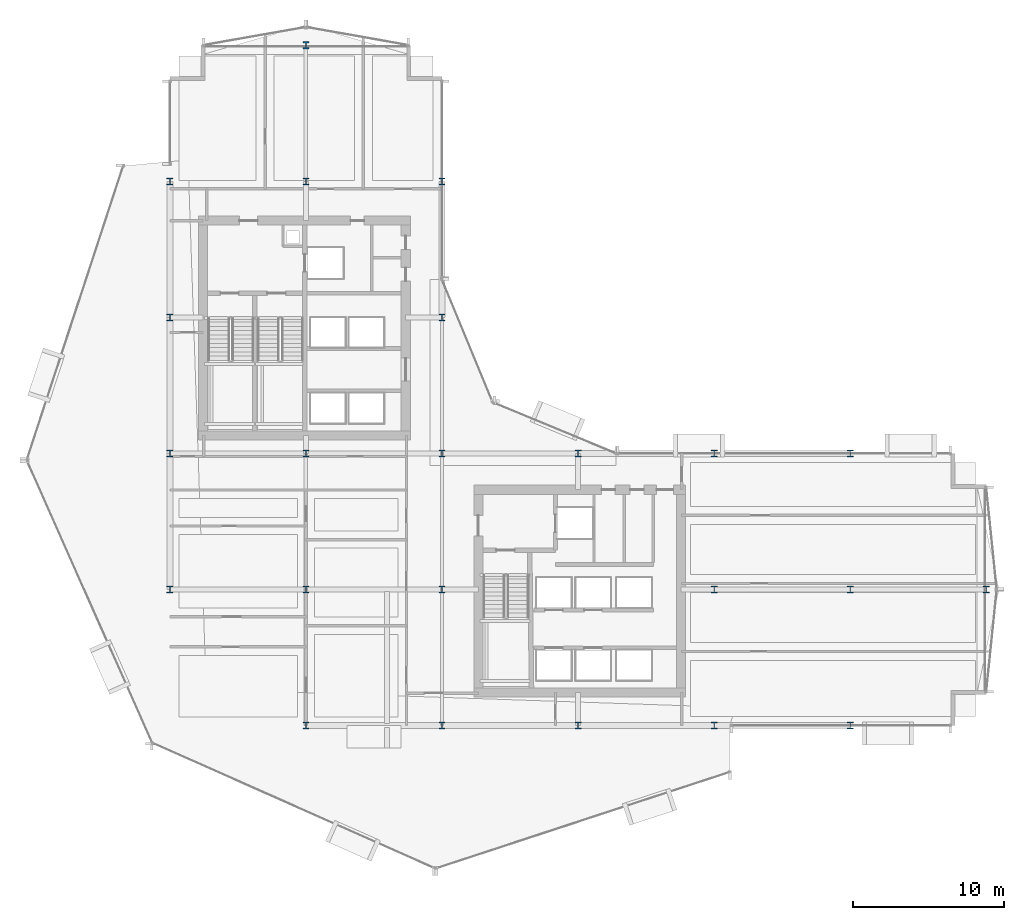
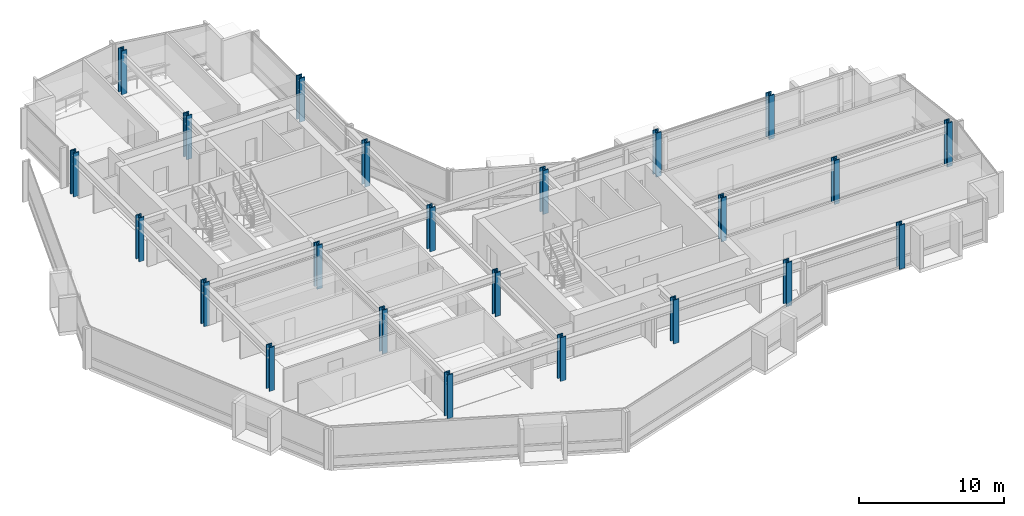
# One storey, part 1 of 34: 23 columns.
"""IFC4 building model written with IfcOpenShell, lengths in metres."""

from ifc_helpers import new_model, si_unit, direction, frame, origin, origin_2d, place, context, subcontext, project, spatial, i_section, extrude, material, material_profile, profile_set, type_object, element, save


model = new_model("IFC4")

# Units and contexts
model_context = context("Model", 3, precision=1e-05, world=origin(), true_north=direction((0.0, 1.0)))
body_context = subcontext(model_context, "Body", "Model", "MODEL_VIEW")
ifc_project = project(units=[si_unit("LENGTHUNIT", "METRE"), si_unit("AREAUNIT", "SQUARE_METRE"), si_unit("VOLUMEUNIT", "CUBIC_METRE"), si_unit("PLANEANGLEUNIT", "RADIAN"), si_unit("MASSUNIT", "GRAM", prefix="KILO")], contexts=[model_context])

# Site, building, storey
site_placement = place(None, origin())
site = spatial("IfcSite", under=ifc_project, at=site_placement, CompositionType="ELEMENT")
building_placement = place(site_placement, origin())
building = spatial("IfcBuilding", under=site, at=building_placement, Name="Solvaryn Broadcast Tower", CompositionType="ELEMENT")
storey_placement = place(building_placement, frame((0.0, 0.0, 92.800048828125)))
storey = spatial("IfcBuildingStorey", under=building, at=storey_placement, Name="L22", CompositionType="ELEMENT", Elevation=92.800048828125)

# Columns
ifc_material_1 = material(Name="Steel ASTM A913 Grade 65", Category="steel")
ifc_material_profile_1 = material_profile(ifc_material_1, i_section(OverallWidth=0.424072265625, OverallDepth=0.47412109375, WebThickness=0.047607421875, FlangeThickness=0.0771484375, FilletRadius=0.014892578125, at=origin_2d()))
ifc_profile_set_1 = profile_set([ifc_material_profile_1], Name="Steel ASTM A913 Grade 65")
column_type_1 = type_object("IfcColumnType", Name="COL-C04E-W14X426", PredefinedType="COLUMN", material=ifc_profile_set_1)
for number, where, z_axis, x_axis, name in (
    (1, (9.0, 18.0, 0.0), (0.0, 0.0, 1.0), (1.0, 0.0, 0.0), "L22 Column (9.0, 18.0)"),
    (2, (9.0, 27.0, 0.0), (0.0, 0.0, 1.0), (1.0, 0.0, 0.0), "L22 Column (9.0, 27.0)"),
    (3, (9.0, 36.0, 0.0), (0.0, 0.0, 1.0), (1.0, 0.0, 0.0), "L22 Column (9.0, 36.0)"),
    (4, (9.0, 45.0, 0.0), (0.0, 0.0, 1.0), (1.0, 0.0, 0.0), "L22 Column (9.0, 45.0)"),
    (5, (18.0, 9.0, 0.0), (0.0, 0.0, 1.0), (1.0, 0.0, 0.0), "L22 Column (18.0, 9.0)"),
    (6, (18.0, 54.0, 0.0), (0.0, 0.0, 1.0), (1.0, 0.0, 0.0), "L22 Column (18.0, 54.0)"),
    (7, (27.0, 9.0, 0.0), (0.0, 0.0, 1.0), (1.0, 0.0, 0.0), "L22 Column (27.0, 9.0)"),
    (8, (27.0, 36.0, 0.0), (0.0, 0.0, 1.0), (1.0, 0.0, 0.0), "L22 Column (27.0, 36.0)"),
    (9, (27.0, 45.0, 0.0), (0.0, 0.0, 1.0), (1.0, 0.0, 0.0), "L22 Column (27.0, 45.0)"),
    (10, (36.0, 9.0, 0.0), (0.0, 0.0, 1.0), (1.0, 0.0, 0.0), "L22 Column (36.0, 9.0)"),
    (11, (36.0, 27.0, 0.0), (0.0, 0.0, 1.0), (1.0, 0.0, 0.0), "L22 Column (36.0, 27.0)"),
    (12, (45.0, 9.0, 0.0), (0.0, 0.0, 1.0), (1.0, 0.0, 0.0), "L22 Column (45.0, 9.0)"),
    (13, (45.0, 27.0, 0.0), (0.0, 0.0, 1.0), (1.0, 0.0, 0.0), "L22 Column (45.0, 27.0)"),
    (14, (54.0, 9.0, 0.0), (0.0, 0.0, 1.0), (1.0, 0.0, 0.0), "L22 Column (54.0, 9.0)"),
    (15, (54.0, 27.0, 0.0), (0.0, 0.0, 1.0), (1.0, 0.0, 0.0), "L22 Column (54.0, 27.0)"),
    (16, (63.0, 18.0, 0.0), (0.0, 0.0, 1.0), (1.0, 0.0, 0.0), "L22 Column (63.0, 18.0)"),
):
    element("IfcColumn", number, at=place(storey_placement, frame(where, z_axis=z_axis, x_axis=x_axis)), inside=storey, type_object=column_type_1, Name=name, PredefinedType="COLUMN", context=body_context, shape_type="SweptSolid", body=[
        extrude(i_section(OverallWidth=0.424072265625, OverallDepth=0.47412109375, WebThickness=0.047607421875, FlangeThickness=0.0771484375, FilletRadius=0.014892578125, at=origin_2d()), origin(), (0.0, 0.0, 1.0), 3.699951171875),
    ])
ifc_material_2 = material(Name="Steel ASTM A913 Grade 65", Category="steel")
ifc_material_profile_2 = material_profile(ifc_material_2, i_section(OverallWidth=0.424072265625, OverallDepth=0.47412109375, WebThickness=0.047607421875, FlangeThickness=0.0771484375, FilletRadius=0.014892578125, at=origin_2d()))
ifc_profile_set_2 = profile_set([ifc_material_profile_2], Name="Steel ASTM A913 Grade 65")
column_type_2 = type_object("IfcColumnType", Name="COL-C04I-W14X426", PredefinedType="COLUMN", material=ifc_profile_set_2)
for number, where, z_axis, x_axis, name in (
    (17, (18.0, 18.0, 0.0), (0.0, 0.0, 1.0), (1.0, 0.0, 0.0), "L22 Column (18.0, 18.0)"),
    (18, (18.0, 27.0, 0.0), (0.0, 0.0, 1.0), (1.0, 0.0, 0.0), "L22 Column (18.0, 27.0)"),
    (19, (18.0, 45.0, 0.0), (0.0, 0.0, 1.0), (1.0, 0.0, 0.0), "L22 Column (18.0, 45.0)"),
    (20, (27.0, 18.0, 0.0), (0.0, 0.0, 1.0), (1.0, 0.0, 0.0), "L22 Column (27.0, 18.0)"),
    (21, (27.0, 27.0, 0.0), (0.0, 0.0, 1.0), (1.0, 0.0, 0.0), "L22 Column (27.0, 27.0)"),
    (22, (45.0, 18.0, 0.0), (0.0, 0.0, 1.0), (1.0, 0.0, 0.0), "L22 Column (45.0, 18.0)"),
    (23, (54.0, 18.0, 0.0), (0.0, 0.0, 1.0), (1.0, 0.0, 0.0), "L22 Column (54.0, 18.0)"),
):
    element("IfcColumn", number, at=place(storey_placement, frame(where, z_axis=z_axis, x_axis=x_axis)), inside=storey, type_object=column_type_2, Name=name, PredefinedType="COLUMN", context=body_context, shape_type="SweptSolid", body=[
        extrude(i_section(OverallWidth=0.424072265625, OverallDepth=0.47412109375, WebThickness=0.047607421875, FlangeThickness=0.0771484375, FilletRadius=0.014892578125, at=origin_2d()), origin(), (0.0, 0.0, 1.0), 3.699951171875),
    ])

save(model, "model.ifc")
